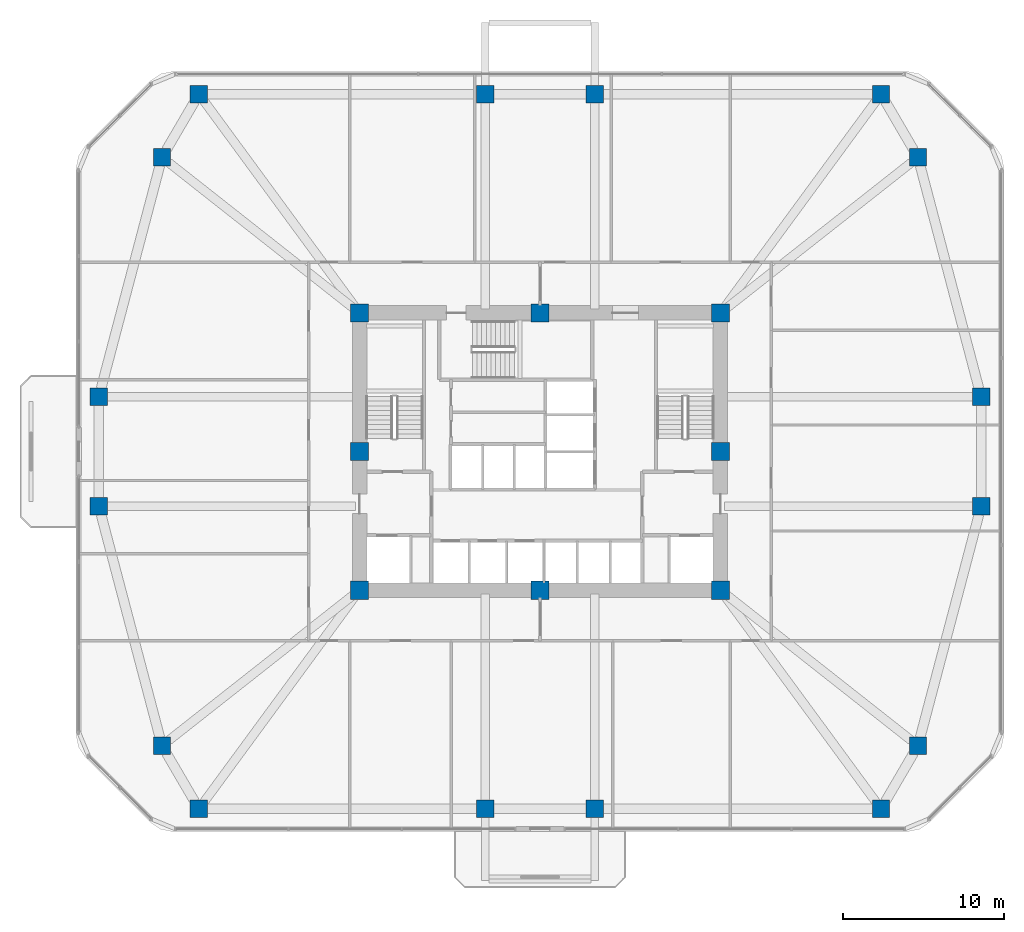
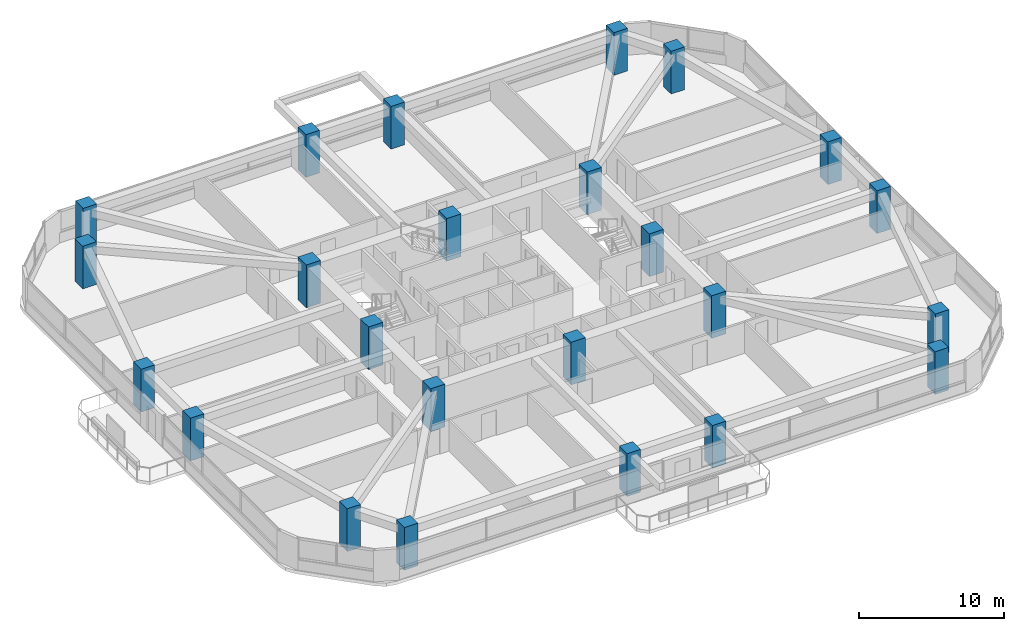
# One storey, part 1 of 13: 24 columns.
"""IFC4 building model written with IfcOpenShell, lengths in metres."""

import ifcopenshell
import ifcopenshell.guid

model = None  # the IFC model being written
_history = None  # IfcOwnerHistory: only IFC2X3 demands one
_inside = {}  # id of a spatial element -> (the spatial element, [elements in it])
_under = {}  # id of a project, library or spatial element -> (it, [spatial elements below it])
_declared = {}  # id of a project -> (the project, [libraries it declares])
_typed = {}  # id of a type object -> (the type object, [elements of that type])
_made_of = {}  # id of a material, layer set ... -> (it, [elements and type objects made of it])


def new_model(schema):
    """Start an empty IFC model of exactly this schema.

    Asked for "IFC4X3", IfcOpenShell would pick the latest addendum, in which some entities
    have other attributes; the version numbers below select the first issue.
    IFC2X3 requires an IfcOwnerHistory on every rooted entity: one is made here for all.
    """
    global model, _history
    if schema == "IFC4X3":
        model = ifcopenshell.file(schema_version=(4, 3, 0, 0))
    else:
        model = ifcopenshell.file(schema=schema)
    _inside.clear()
    _under.clear()
    _declared.clear()
    _typed.clear()
    _made_of.clear()
    _history = None
    if model.schema == "IFC2X3":
        org = make("IfcOrganization", Name="unknown")
        user = make(
            "IfcPersonAndOrganization",
            ThePerson=make("IfcPerson", FamilyName="unknown"),
            TheOrganization=org,
        )
        app = make(
            "IfcApplication",
            ApplicationDeveloper=org,
            Version="unknown",
            ApplicationFullName="unknown",
            ApplicationIdentifier="unknown",
        )
        _history = make(
            "IfcOwnerHistory",
            OwningUser=user,
            OwningApplication=app,
            ChangeAction="ADDED",
            CreationDate=0,
        )
    return model


def make(cls, **values):
    """One entity of the class cls with the attributes given. An attribute that is None is left unset."""
    return model.create_entity(
        cls, **{name: value for name, value in values.items() if value is not None}
    )


def rooted(cls, **values):
    """An entity with a GlobalId (a new one), such as an element, a storey or a relation."""
    return make(cls, GlobalId=ifcopenshell.guid.new(), OwnerHistory=_history, **values)


def si_unit(unit_type, name, prefix=None):
    """IfcSIUnit, for example si_unit("LENGTHUNIT", "METRE", prefix="MILLI")."""
    return make("IfcSIUnit", UnitType=unit_type, Prefix=prefix, Name=name)


def derived_unit(unit_type, elements):
    """IfcDerivedUnit: a product of units, each with its exponent."""
    return make(
        "IfcDerivedUnit",
        Elements=[
            make("IfcDerivedUnitElement", Unit=unit, Exponent=power)
            for unit, power in elements
        ],
        UnitType=unit_type,
    )


def assignment(units):
    """IfcUnitAssignment: the units of a project."""
    return None if units is None else make("IfcUnitAssignment", Units=units)


def point(xyz):
    """IfcCartesianPoint."""
    return None if xyz is None else make("IfcCartesianPoint", Coordinates=xyz)


def direction(xyz):
    """IfcDirection."""
    return None if xyz is None else make("IfcDirection", DirectionRatios=xyz)


def frame(location, z_axis=None, x_axis=None):
    """IfcAxis2Placement3D, a coordinate frame: its origin and axes. An axis left out is left unset."""
    return make(
        "IfcAxis2Placement3D",
        Location=point(location),
        Axis=direction(z_axis),
        RefDirection=direction(x_axis),
    )


def frame_2d(location, x_axis=None):
    """IfcAxis2Placement2D, a coordinate frame in the plane: its origin and x axis."""
    return make(
        "IfcAxis2Placement2D", Location=point(location), RefDirection=direction(x_axis)
    )


def origin():
    """The frame at (0, 0, 0) with its axes left unset."""
    return frame((0.0, 0.0, 0.0))


def origin_2d():
    """The frame at (0, 0) in the plane with its x axis left unset."""
    return frame_2d((0.0, 0.0))


def place(relative_to, where):
    """IfcLocalPlacement: puts the frame where relative to a parent placement (None: the world)."""
    return make(
        "IfcLocalPlacement", PlacementRelTo=relative_to, RelativePlacement=where
    )


def context(
    kind, dimensions, precision=None, world=None, true_north=None, identifier=None
):
    """IfcGeometricRepresentationContext, for example the 3D "Model" context."""
    return make(
        "IfcGeometricRepresentationContext",
        ContextIdentifier=identifier,
        ContextType=kind,
        CoordinateSpaceDimension=dimensions,
        Precision=precision,
        WorldCoordinateSystem=world,
        TrueNorth=true_north,
    )


def subcontext(parent, identifier, kind, view, scale=None):
    """IfcGeometricRepresentationSubContext, for example "Body" below "Model"."""
    return make(
        "IfcGeometricRepresentationSubContext",
        ContextIdentifier=identifier,
        ContextType=kind,
        ParentContext=parent,
        TargetScale=scale,
        TargetView=view,
    )


def project(units=None, contexts=None):
    """IfcProject with its units and contexts."""
    return rooted(
        "IfcProject",
        Name="project",
        RepresentationContexts=contexts,
        UnitsInContext=assignment(units),
    )


def spatial(cls, under=None, at=None, **own):
    """A site, building, storey or space (cls), placed at a placement, below another one or the project."""
    s = rooted(cls, ObjectPlacement=at, **own)
    if under is not None:
        _under.setdefault(under.id(), (under, []))[1].append(s)
    return s


def profile(cls, at=None, kind="AREA", **sizes):
    """A parametric profile (cls). Its sizes go by their IFC names, for example OverallWidth=200.0."""
    return make(cls, ProfileType=kind, Position=at, **sizes)


def rectangle(**sizes):
    """IfcRectangleProfileDef."""
    return profile("IfcRectangleProfileDef", **sizes)


def extrude(swept, where, along, depth):
    """IfcExtrudedAreaSolid: the profile swept, set in the frame where, extruded along a direction by depth."""
    return make(
        "IfcExtrudedAreaSolid",
        SweptArea=swept,
        Position=where,
        ExtrudedDirection=direction(along),
        Depth=depth,
    )


def shape(context_of_items, identifier, shape_type, items):
    """IfcShapeRepresentation: the items that make up one representation, for example the "Body"."""
    return make(
        "IfcShapeRepresentation",
        ContextOfItems=context_of_items,
        RepresentationIdentifier=identifier,
        RepresentationType=shape_type,
        Items=items,
    )


def material(Name=None, Category=None):
    """IfcMaterial."""
    return make("IfcMaterial", Name=Name, Category=Category)


def material_profile(
    of_material, cross_section, Name=None, Category=None, Priority=None
):
    """IfcMaterialProfile: a cross section and its material."""
    return make(
        "IfcMaterialProfile",
        Name=Name,
        Material=of_material,
        Profile=cross_section,
        Priority=Priority,
        Category=Category,
    )


def profile_set(profiles, Name=None, composite=None):
    """IfcMaterialProfileSet."""
    return make(
        "IfcMaterialProfileSet",
        Name=Name,
        MaterialProfiles=profiles,
        CompositeProfile=composite,
    )


def made_of(thing, what):
    """Note that an element or type object is made of a material, layer set ...; save() writes the relation."""
    if what is not None:
        _made_of.setdefault(what.id(), (what, []))[1].append(thing)
    return thing


def type_object(cls, material=None, **own):
    """A type object (cls), such as IfcWallType, which elements share."""
    return made_of(rooted(cls, **own), material)


def element(
    cls,
    number,
    at=None,
    inside=None,
    cuts=None,
    type_object=None,
    material=None,
    context=None,
    identifier="Body",
    shape_type=None,
    held_by="IfcProductDefinitionShape",
    body=None,
    shapes=None,
    **own,
):
    """One element of the class cls, such as IfcWall. Its Tag is "e" and its number.

    at: its placement. inside: the storey or other place that contains it. cuts: it is an
    opening in that element (IfcRelVoidsElement). A single representation is given by context,
    identifier, shape_type and body (its items); several are given by shapes. held_by: the class
    of the entity that holds the representations. save() writes the other relations.
    """
    e = rooted(cls, Tag="e%d" % number, ObjectPlacement=at, **own)
    if body is not None:
        shapes = [shape(context, identifier, shape_type, body)]
    if shapes is not None:
        e.Representation = make(held_by, Representations=shapes)
    if inside is not None:
        _inside.setdefault(inside.id(), (inside, []))[1].append(e)
    if cuts is not None:
        rooted(
            "IfcRelVoidsElement", RelatingBuildingElement=cuts, RelatedOpeningElement=e
        )
    if type_object is not None:
        _typed.setdefault(type_object.id(), (type_object, []))[1].append(e)
    return made_of(e, material)


def aggregate(whole, parts):
    """IfcRelAggregates: a whole, such as a stair, and the parts it consists of."""
    return rooted("IfcRelAggregates", RelatingObject=whole, RelatedObjects=parts)


def save(model, path):
    """Write the relations noted so far, then the file.

    IfcRelAggregates (storeys below a building ...), IfcRelContainedInSpatialStructure (elements
    in a storey), IfcRelDefinesByType, IfcRelAssociatesMaterial and IfcRelDeclares: one each for
    every whole, place, type object, material and project.
    """
    for whole, parts in _under.values():
        aggregate(whole, parts)
    for where, things in _inside.values():
        rooted(
            "IfcRelContainedInSpatialStructure",
            RelatedElements=things,
            RelatingStructure=where,
        )
    for kind, things in _typed.values():
        rooted("IfcRelDefinesByType", RelatedObjects=things, RelatingType=kind)
    for what, things in _made_of.values():
        rooted("IfcRelAssociatesMaterial", RelatedObjects=things, RelatingMaterial=what)
    for by, libraries in _declared.values():
        rooted("IfcRelDeclares", RelatingContext=by, RelatedDefinitions=libraries)
    model.write(path)


model = new_model("IFC4")

# Units and contexts
model_context = context("Model", 3, precision=1e-05, world=origin(), true_north=direction((0.0, 1.0)))
body_context = subcontext(model_context, "Body", "Model", "MODEL_VIEW")
ifc_project = project(units=[si_unit("LENGTHUNIT", "METRE"), si_unit("AREAUNIT", "SQUARE_METRE"), si_unit("VOLUMEUNIT", "CUBIC_METRE"), si_unit("PLANEANGLEUNIT", "RADIAN"), si_unit("MASSUNIT", "GRAM", prefix="KILO"), derived_unit("THERMALTRANSMITTANCEUNIT", [(si_unit("POWERUNIT", "WATT"), 1), (si_unit("LENGTHUNIT", "METRE"), -2), (si_unit("THERMODYNAMICTEMPERATUREUNIT", "KELVIN"), -1)])], contexts=[model_context])

# Site, building, storey
site_placement = place(None, origin())
site = spatial("IfcSite", under=ifc_project, at=site_placement, CompositionType="ELEMENT")
building_placement = place(site_placement, origin())
building = spatial("IfcBuilding", under=site, at=building_placement, Name="Koralith Skygarden Medical Center", CompositionType="ELEMENT")
storey_placement = place(building_placement, frame((0.0, 0.0, 63.5400390625)))
storey = spatial("IfcBuildingStorey", under=building, at=storey_placement, Name="L16", CompositionType="ELEMENT", Elevation=63.5400390625)

# Columns
ifc_material = material(Name="Concrete C70/85", Category="concrete")
ifc_material_profile_1 = material_profile(ifc_material, rectangle(XDim=1.139892578125, YDim=1.139892578125, at=origin_2d()), Name="RC1140X1140")
ifc_profile_set_1 = profile_set([ifc_material_profile_1], Name="Concrete C70/85")
column_type_1 = type_object("IfcColumnType", Name="Core Mega-Column C70 RC1140", PredefinedType="COLUMN", material=ifc_profile_set_1)
for number, where, z_axis, x_axis, name in (
    (1, (25.800048828125, 17.300048828125, 0.0), (0.0, 0.0, 1.0), (1.0, 0.0, 0.0), "L16 Core Column CC-01"),
    (2, (37.0, 17.300048828125, 0.0), (0.0, 0.0, 1.0), (1.0, 0.0, 0.0), "L16 Core Column CC-02"),
    (3, (48.199951171875, 17.300048828125, 0.0), (0.0, 0.0, 1.0), (1.0, 0.0, 0.0), "L16 Core Column CC-03"),
    (4, (48.199951171875, 25.89990234375, 0.0), (0.0, 0.0, 1.0), (1.0, 0.0, 0.0), "L16 Core Column CC-04"),
    (5, (48.199951171875, 34.5, 0.0), (0.0, 0.0, 1.0), (1.0, 0.0, 0.0), "L16 Core Column CC-05"),
    (6, (37.0, 34.5, 0.0), (0.0, 0.0, 1.0), (1.0, 0.0, 0.0), "L16 Core Column CC-06"),
    (7, (25.800048828125, 34.5, 0.0), (0.0, 0.0, 1.0), (1.0, 0.0, 0.0), "L16 Core Column CC-07"),
    (8, (25.800048828125, 25.89990234375, 0.0), (0.0, 0.0, 1.0), (1.0, 0.0, 0.0), "L16 Core Column CC-08"),
):
    element("IfcColumn", number, at=place(storey_placement, frame(where, z_axis=z_axis, x_axis=x_axis)), inside=storey, type_object=column_type_1, Name=name, PredefinedType="COLUMN", context=body_context, shape_type="SweptSolid", body=[
        extrude(rectangle(XDim=1.139892578125, YDim=1.139892578125, at=origin_2d()), origin(), (0.0, 0.0, 1.0), 3.599853515625),
    ])
ifc_material_profile_2 = material_profile(ifc_material, rectangle(XDim=1.080078125, YDim=1.080078125, at=origin_2d()), Name="RC1080X1080")
ifc_profile_set_2 = profile_set([ifc_material_profile_2], Name="Concrete C70/85")
column_type_2 = type_object("IfcColumnType", Name="Zone 1 Octagonal Mega-Column C70 RC1080", PredefinedType="COLUMN", material=ifc_profile_set_2)
for number, where, z_axis, x_axis, name in (
    (9, (9.6201171875, 22.5, 0.0), (0.0, 0.0, 1.0), (1.0, 0.0, 0.0), "L16 Perimeter Mega-Column MC-01"),
    (10, (13.5400390625, 7.639892578125, 0.0), (0.0, 0.0, 1.0), (1.0, 0.0, 0.0), "L16 Perimeter Mega-Column MC-02"),
    (11, (15.83203125, 3.719970703125, 0.0), (0.0, 0.0, 1.0), (1.0, 0.0, 0.0), "L16 Perimeter Mega-Column MC-03"),
    (12, (33.60009765625, 3.719970703125, 0.0), (0.0, 0.0, 1.0), (1.0, 0.0, 0.0), "L16 Perimeter Mega-Column MC-04"),
    (13, (40.39990234375, 3.719970703125, 0.0), (0.0, 0.0, 1.0), (1.0, 0.0, 0.0), "L16 Perimeter Mega-Column MC-05"),
    (14, (58.16796875, 3.719970703125, 0.0), (0.0, 0.0, 1.0), (1.0, 0.0, 0.0), "L16 Perimeter Mega-Column MC-06"),
    (15, (60.4599609375, 7.639892578125, 0.0), (0.0, 0.0, 1.0), (1.0, 0.0, 0.0), "L16 Perimeter Mega-Column MC-07"),
    (16, (64.3798828125, 22.5, 0.0), (0.0, 0.0, 1.0), (1.0, 0.0, 0.0), "L16 Perimeter Mega-Column MC-08"),
    (17, (64.3798828125, 29.300048828125, 0.0), (0.0, 0.0, 1.0), (1.0, 0.0, 0.0), "L16 Perimeter Mega-Column MC-09"),
    (18, (60.4599609375, 44.159912109375, 0.0), (0.0, 0.0, 1.0), (1.0, 0.0, 0.0), "L16 Perimeter Mega-Column MC-10"),
    (19, (58.16796875, 48.080078125, 0.0), (0.0, 0.0, 1.0), (1.0, 0.0, 0.0), "L16 Perimeter Mega-Column MC-11"),
    (20, (40.39990234375, 48.080078125, 0.0), (0.0, 0.0, 1.0), (1.0, 0.0, 0.0), "L16 Perimeter Mega-Column MC-12"),
    (21, (33.60009765625, 48.080078125, 0.0), (0.0, 0.0, 1.0), (1.0, 0.0, 0.0), "L16 Perimeter Mega-Column MC-13"),
    (22, (15.83203125, 48.080078125, 0.0), (0.0, 0.0, 1.0), (1.0, 0.0, 0.0), "L16 Perimeter Mega-Column MC-14"),
    (23, (13.5400390625, 44.159912109375, 0.0), (0.0, 0.0, 1.0), (1.0, 0.0, 0.0), "L16 Perimeter Mega-Column MC-15"),
    (24, (9.6201171875, 29.300048828125, 0.0), (0.0, 0.0, 1.0), (1.0, 0.0, 0.0), "L16 Perimeter Mega-Column MC-16"),
):
    element("IfcColumn", number, at=place(storey_placement, frame(where, z_axis=z_axis, x_axis=x_axis)), inside=storey, type_object=column_type_2, Name=name, PredefinedType="COLUMN", context=body_context, shape_type="SweptSolid", body=[
        extrude(rectangle(XDim=1.080078125, YDim=1.080078125, at=origin_2d()), origin(), (0.0, 0.0, 1.0), 3.599853515625),
    ])

save(model, "model.ifc")
